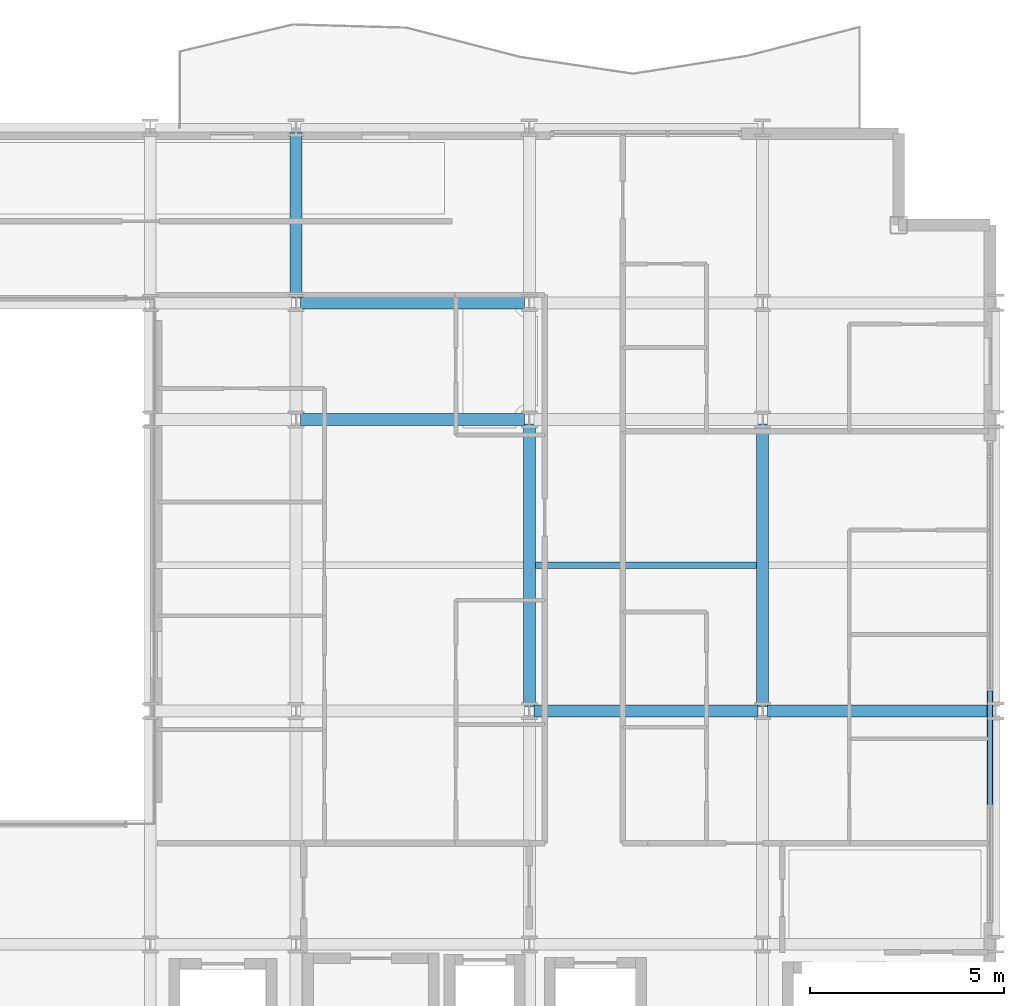
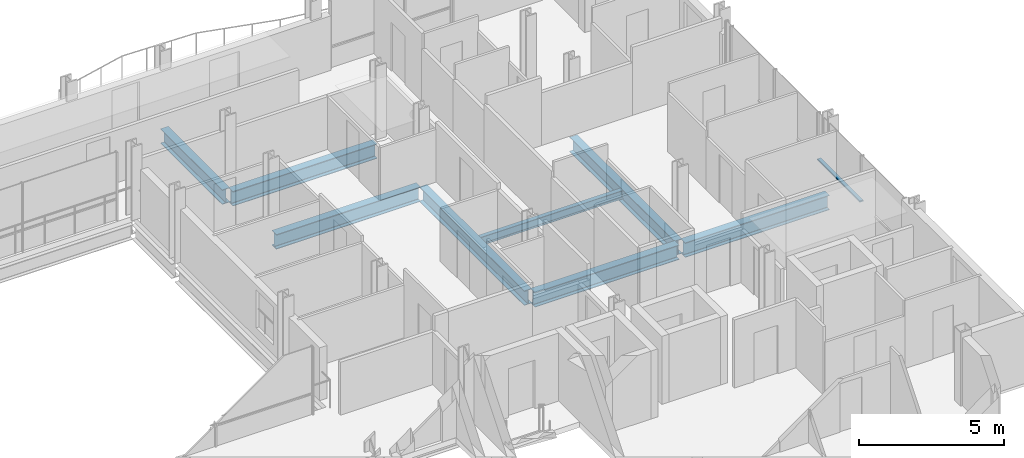
# One storey, part 18 of 41: 8 beams, 1 member, 1 element without a shape of its own.
"""IFC4 building model written with IfcOpenShell, lengths in metres."""

from ifc_helpers import new_model, si_unit, direction, frame, origin, origin_2d, place, context, subcontext, project, spatial, hollow_rectangle, i_section, extrude, material, layer, layer_set, material_profile, profile_set, type_object, element, aggregate, save


model = new_model("IFC4")

# Units and contexts
model_context = context("Model", 3, precision=1e-05, world=origin(), true_north=direction((0.0, 1.0)))
body_context = subcontext(model_context, "Body", "Model", "MODEL_VIEW")
ifc_project = project(units=[si_unit("LENGTHUNIT", "METRE"), si_unit("AREAUNIT", "SQUARE_METRE"), si_unit("VOLUMEUNIT", "CUBIC_METRE"), si_unit("PLANEANGLEUNIT", "RADIAN"), si_unit("MASSUNIT", "GRAM", prefix="KILO")], contexts=[model_context])

# Site, building, storey
site_placement = place(None, origin())
site = spatial("IfcSite", under=ifc_project, at=site_placement, CompositionType="ELEMENT")
building_placement = place(site_placement, origin())
building = spatial("IfcBuilding", under=site, at=building_placement, Name="Brevholm Reach", CompositionType="ELEMENT")
storey_placement = place(building_placement, frame((0.0, 0.0, 68.300048828125)))
storey = spatial("IfcBuildingStorey", under=building, at=storey_placement, Name="L19", CompositionType="ELEMENT", Elevation=68.300048828125)

# Beams
ifc_material_1 = material(Name="Structural Steel S355J2", Category="steel")
ifc_material_profile_1 = material_profile(ifc_material_1, i_section(OverallWidth=0.17138671875, OverallDepth=0.35498046875, WebThickness=0.00732421875, FlangeThickness=0.011474609375, FilletRadius=0.01025390625, at=origin_2d()), Name="UKB 356x171x51")
ifc_profile_set_1 = profile_set([ifc_material_profile_1], Name="Structural Steel S355J2")
beam_type_1 = type_object("IfcBeamType", Name="BM-B356", PredefinedType="BEAM", material=ifc_profile_set_1)
beam_1_placement = place(storey_placement, frame((48.153564453125, 19.75, -0.407470703125), z_axis=(1.0, 0.0, 0.0), x_axis=(0.0, 1.0, 0.0)))
element("IfcBeam", 1, at=beam_1_placement, inside=storey, type_object=beam_type_1, Name="L19 Composite Secondary Floor Beam", PredefinedType="BEAM", context=body_context, shape_type="SweptSolid", body=[
    extrude(i_section(OverallWidth=0.17138671875, OverallDepth=0.35498046875, WebThickness=0.00732421875, FlangeThickness=0.011474609375, FilletRadius=0.01025390625, at=origin_2d()), origin(), (0.0, 0.0, 1.0), 5.69287109375),
])
ifc_material_2 = material(Name="Structural Steel S355J2", Category="steel")
ifc_material_profile_2 = material_profile(ifc_material_2, i_section(OverallWidth=0.30712890625, OverallDepth=0.6201171875, WebThickness=0.01416015625, FlangeThickness=0.023681640625, FilletRadius=0.0166015625, at=origin_2d()), Name="UKB 610x305x179")
ifc_profile_set_2 = profile_set([ifc_material_profile_2], Name="Structural Steel S355J2")
beam_type_2 = type_object("IfcBeamType", Name="BM-UKB610H", PredefinedType="USERDEFINED", material=ifc_profile_set_2)
for number, where, z_axis, x_axis, name in (
    (2, (48.1201171875, 16.0, -0.5400390625), (1.0, 0.0, 0.0), (0.0, 1.0, 0.0), "L19 G-06 Framing Beam"),
    (3, (54.1201171875, 16.0, -0.5400390625), (1.0, 0.0, 0.0), (0.0, 1.0, 0.0), "L19 G-06 Framing Beam"),
    (4, (42.1201171875, 23.5, -0.5400390625), (1.0, 0.0, 0.0), (0.0, 1.0, 0.0), "L19 G-06 Framing Beam"),
    (5, (42.1201171875, 26.5, -0.5400390625), (1.0, 0.0, 0.0), (0.0, 1.0, 0.0), "L19 G-06 Framing Beam"),
):
    element("IfcBeam", number, at=place(storey_placement, frame(where, z_axis=z_axis, x_axis=x_axis)), inside=storey, type_object=beam_type_2, Name=name, ObjectType="GIRDER", PredefinedType="USERDEFINED", context=body_context, shape_type="SweptSolid", body=[
        extrude(i_section(OverallWidth=0.30712890625, OverallDepth=0.6201171875, WebThickness=0.01416015625, FlangeThickness=0.023681640625, FilletRadius=0.0166015625, at=origin_2d()), origin(), (0.0, 0.0, 1.0), 5.759765625),
    ])
beam_2_placement = place(storey_placement, frame((42.0, 26.6201171875, -0.5400390625), z_axis=(0.0, 1.0, 0.0), x_axis=(-1.0, 0.0, 0.0)))
element("IfcBeam", 6, at=beam_2_placement, inside=storey, type_object=beam_type_2, Name="L19 G-06 Framing Beam", ObjectType="GIRDER", PredefinedType="USERDEFINED", context=body_context, shape_type="SweptSolid", body=[
    extrude(i_section(OverallWidth=0.30712890625, OverallDepth=0.6201171875, WebThickness=0.01416015625, FlangeThickness=0.023681640625, FilletRadius=0.0166015625, at=origin_2d()), origin(), (0.0, 0.0, 1.0), 4.259765625),
])
for number, where, z_axis, x_axis, name in (
    (7, (48.0, 16.1201171875, -0.5400390625), (0.0, 1.0, 0.0), (-1.0, 0.0, 0.0), "L19 G-06 Framing Beam"),
    (8, (54.0, 16.1201171875, -0.5400390625), (0.0, 1.0, 0.0), (-1.0, 0.0, 0.0), "L19 G-06 Framing Beam"),
):
    element("IfcBeam", number, at=place(storey_placement, frame(where, z_axis=z_axis, x_axis=x_axis)), inside=storey, type_object=beam_type_2, Name=name, ObjectType="GIRDER", PredefinedType="USERDEFINED", context=body_context, shape_type="SweptSolid", body=[
        extrude(i_section(OverallWidth=0.30712890625, OverallDepth=0.6201171875, WebThickness=0.01416015625, FlangeThickness=0.023681640625, FilletRadius=0.0166015625, at=origin_2d()), origin(), (0.0, 0.0, 1.0), 7.259765625),
    ])

# Curtain wall, member
ifc_material_3 = material(Name="Dark Anodised Aluminium 6063-T6 and Solar-Control Glass", Category="aluminium")
ifc_layer = layer(ifc_material_3, 0.14990234375)
ifc_layer_set = layer_set([ifc_layer], Name="Dark Anodised Aluminium 6063-T6 and Solar-Control Glass")
curtain_wall_type = type_object("IfcCurtainWallType", Name="CW-01", PredefinedType="NOTDEFINED", material=ifc_layer_set)
curtain_wall_placement = place(storey_placement, origin())
curtain_wall = element("IfcCurtainWall", 9, at=curtain_wall_placement, inside=storey, type_object=curtain_wall_type, Name="L19 Curtain Wall CW-01", PredefinedType="NOTDEFINED")
ifc_material_4 = material(Name="Dark Anodised Aluminium 6063-T6", Category="aluminium")
ifc_material_profile_3 = material_profile(ifc_material_4, hollow_rectangle(XDim=0.06494140625, YDim=0.14990234375, WallThickness=0.0048828125, InnerFilletRadius=0.0048828125, OuterFilletRadius=0.010009765625, at=origin_2d()), Name="RHS 150x65x5")
ifc_profile_set_3 = profile_set([ifc_material_profile_3], Name="Dark Anodised Aluminium 6063-T6")
member_type = type_object("IfcMemberType", Name="CWT-150", PredefinedType="NOTDEFINED", material=ifc_profile_set_3)
member_placement = place(storey_placement, frame((59.85009765625, 13.58251953125, 0.89990234375), z_axis=(0.0, 1.0, 0.0), x_axis=(0.0, 0.0, 1.0)))
member = element("IfcMember", 10, at=member_placement, type_object=member_type, Name="CT-150 Transom 2.1", ObjectType="TRANSOM", PredefinedType="USERDEFINED", context=body_context, shape_type="SweptSolid", body=[
    extrude(hollow_rectangle(XDim=0.06494140625, YDim=0.14990234375, WallThickness=0.0048828125, InnerFilletRadius=0.0048828125, OuterFilletRadius=0.010009765625, at=origin_2d()), origin(), (0.0, 0.0, 1.0), 2.93505859375),
])
aggregate(curtain_wall, [member])

save(model, "model.ifc")
